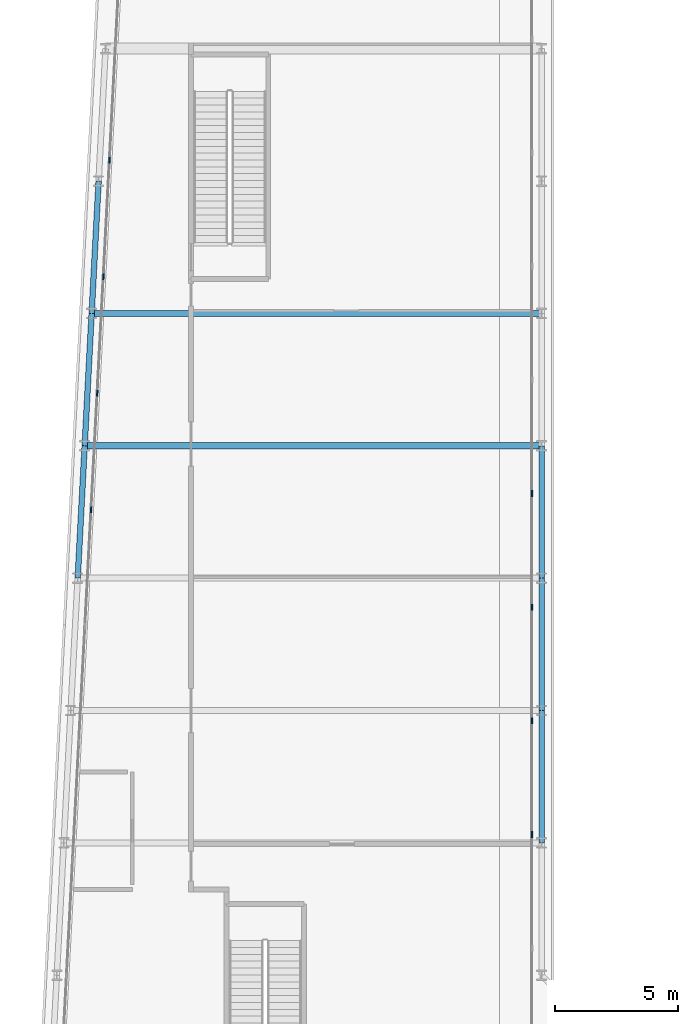
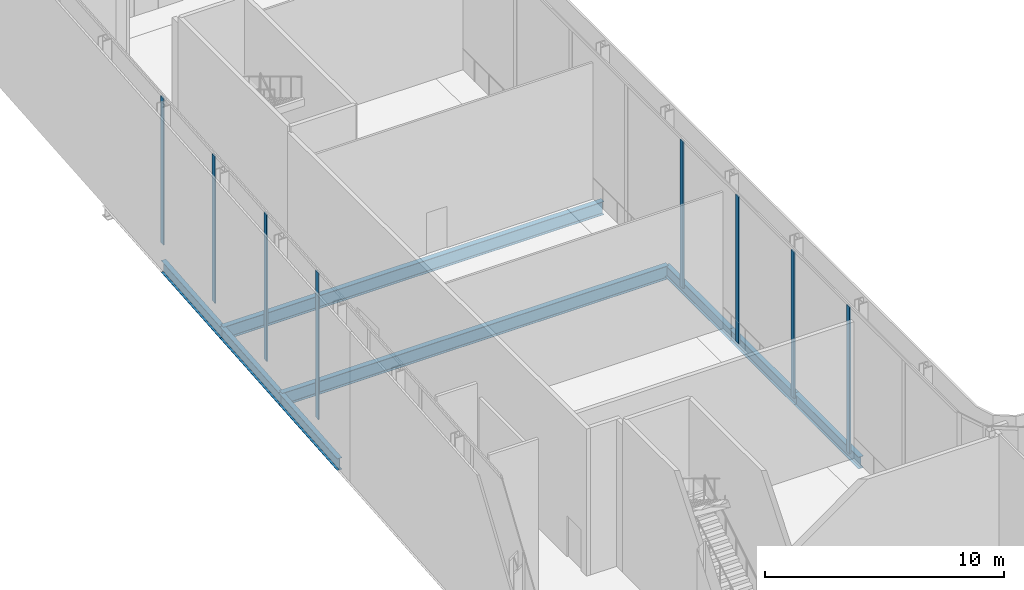
# One storey, part 14 of 37: 8 beams, 8 members, 2 elements without a shape of their own.
"""IFC4 building model written with IfcOpenShell, lengths in metres."""

import ifcopenshell
import ifcopenshell.guid

model = None  # the IFC model being written
_history = None  # IfcOwnerHistory: only IFC2X3 demands one
_inside = {}  # id of a spatial element -> (the spatial element, [elements in it])
_under = {}  # id of a project, library or spatial element -> (it, [spatial elements below it])
_declared = {}  # id of a project -> (the project, [libraries it declares])
_typed = {}  # id of a type object -> (the type object, [elements of that type])
_made_of = {}  # id of a material, layer set ... -> (it, [elements and type objects made of it])


def new_model(schema):
    """Start an empty IFC model of exactly this schema.

    Asked for "IFC4X3", IfcOpenShell would pick the latest addendum, in which some entities
    have other attributes; the version numbers below select the first issue.
    IFC2X3 requires an IfcOwnerHistory on every rooted entity: one is made here for all.
    """
    global model, _history
    if schema == "IFC4X3":
        model = ifcopenshell.file(schema_version=(4, 3, 0, 0))
    else:
        model = ifcopenshell.file(schema=schema)
    _inside.clear()
    _under.clear()
    _declared.clear()
    _typed.clear()
    _made_of.clear()
    _history = None
    if model.schema == "IFC2X3":
        org = make("IfcOrganization", Name="unknown")
        user = make(
            "IfcPersonAndOrganization",
            ThePerson=make("IfcPerson", FamilyName="unknown"),
            TheOrganization=org,
        )
        app = make(
            "IfcApplication",
            ApplicationDeveloper=org,
            Version="unknown",
            ApplicationFullName="unknown",
            ApplicationIdentifier="unknown",
        )
        _history = make(
            "IfcOwnerHistory",
            OwningUser=user,
            OwningApplication=app,
            ChangeAction="ADDED",
            CreationDate=0,
        )
    return model


def make(cls, **values):
    """One entity of the class cls with the attributes given. An attribute that is None is left unset."""
    return model.create_entity(
        cls, **{name: value for name, value in values.items() if value is not None}
    )


def rooted(cls, **values):
    """An entity with a GlobalId (a new one), such as an element, a storey or a relation."""
    return make(cls, GlobalId=ifcopenshell.guid.new(), OwnerHistory=_history, **values)


def si_unit(unit_type, name, prefix=None):
    """IfcSIUnit, for example si_unit("LENGTHUNIT", "METRE", prefix="MILLI")."""
    return make("IfcSIUnit", UnitType=unit_type, Prefix=prefix, Name=name)


def assignment(units):
    """IfcUnitAssignment: the units of a project."""
    return None if units is None else make("IfcUnitAssignment", Units=units)


def point(xyz):
    """IfcCartesianPoint."""
    return None if xyz is None else make("IfcCartesianPoint", Coordinates=xyz)


def direction(xyz):
    """IfcDirection."""
    return None if xyz is None else make("IfcDirection", DirectionRatios=xyz)


def frame(location, z_axis=None, x_axis=None):
    """IfcAxis2Placement3D, a coordinate frame: its origin and axes. An axis left out is left unset."""
    return make(
        "IfcAxis2Placement3D",
        Location=point(location),
        Axis=direction(z_axis),
        RefDirection=direction(x_axis),
    )


def frame_2d(location, x_axis=None):
    """IfcAxis2Placement2D, a coordinate frame in the plane: its origin and x axis."""
    return make(
        "IfcAxis2Placement2D", Location=point(location), RefDirection=direction(x_axis)
    )


def origin():
    """The frame at (0, 0, 0) with its axes left unset."""
    return frame((0.0, 0.0, 0.0))


def origin_2d():
    """The frame at (0, 0) in the plane with its x axis left unset."""
    return frame_2d((0.0, 0.0))


def place(relative_to, where):
    """IfcLocalPlacement: puts the frame where relative to a parent placement (None: the world)."""
    return make(
        "IfcLocalPlacement", PlacementRelTo=relative_to, RelativePlacement=where
    )


def context(
    kind, dimensions, precision=None, world=None, true_north=None, identifier=None
):
    """IfcGeometricRepresentationContext, for example the 3D "Model" context."""
    return make(
        "IfcGeometricRepresentationContext",
        ContextIdentifier=identifier,
        ContextType=kind,
        CoordinateSpaceDimension=dimensions,
        Precision=precision,
        WorldCoordinateSystem=world,
        TrueNorth=true_north,
    )


def subcontext(parent, identifier, kind, view, scale=None):
    """IfcGeometricRepresentationSubContext, for example "Body" below "Model"."""
    return make(
        "IfcGeometricRepresentationSubContext",
        ContextIdentifier=identifier,
        ContextType=kind,
        ParentContext=parent,
        TargetScale=scale,
        TargetView=view,
    )


def project(units=None, contexts=None):
    """IfcProject with its units and contexts."""
    return rooted(
        "IfcProject",
        Name="project",
        RepresentationContexts=contexts,
        UnitsInContext=assignment(units),
    )


def spatial(cls, under=None, at=None, **own):
    """A site, building, storey or space (cls), placed at a placement, below another one or the project."""
    s = rooted(cls, ObjectPlacement=at, **own)
    if under is not None:
        _under.setdefault(under.id(), (under, []))[1].append(s)
    return s


def profile(cls, at=None, kind="AREA", **sizes):
    """A parametric profile (cls). Its sizes go by their IFC names, for example OverallWidth=200.0."""
    return make(cls, ProfileType=kind, Position=at, **sizes)


def rectangle(**sizes):
    """IfcRectangleProfileDef."""
    return profile("IfcRectangleProfileDef", **sizes)


def i_section(**sizes):
    """IfcIShapeProfileDef."""
    return profile("IfcIShapeProfileDef", **sizes)


def extrude(swept, where, along, depth):
    """IfcExtrudedAreaSolid: the profile swept, set in the frame where, extruded along a direction by depth."""
    return make(
        "IfcExtrudedAreaSolid",
        SweptArea=swept,
        Position=where,
        ExtrudedDirection=direction(along),
        Depth=depth,
    )


def shape(context_of_items, identifier, shape_type, items):
    """IfcShapeRepresentation: the items that make up one representation, for example the "Body"."""
    return make(
        "IfcShapeRepresentation",
        ContextOfItems=context_of_items,
        RepresentationIdentifier=identifier,
        RepresentationType=shape_type,
        Items=items,
    )


def material(Name=None, Category=None):
    """IfcMaterial."""
    return make("IfcMaterial", Name=Name, Category=Category)


def layer(
    of_material, thickness, ventilated=None, Name=None, Category=None, Priority=None
):
    """IfcMaterialLayer: one layer of a wall or slab, of a material (None: an air gap)."""
    return make(
        "IfcMaterialLayer",
        Material=of_material,
        LayerThickness=thickness,
        IsVentilated=ventilated,
        Name=Name,
        Category=Category,
        Priority=Priority,
    )


def layer_set(layers, Name=None):
    """IfcMaterialLayerSet."""
    return make("IfcMaterialLayerSet", MaterialLayers=layers, LayerSetName=Name)


def material_profile(
    of_material, cross_section, Name=None, Category=None, Priority=None
):
    """IfcMaterialProfile: a cross section and its material."""
    return make(
        "IfcMaterialProfile",
        Name=Name,
        Material=of_material,
        Profile=cross_section,
        Priority=Priority,
        Category=Category,
    )


def profile_set(profiles, Name=None, composite=None):
    """IfcMaterialProfileSet."""
    return make(
        "IfcMaterialProfileSet",
        Name=Name,
        MaterialProfiles=profiles,
        CompositeProfile=composite,
    )


def made_of(thing, what):
    """Note that an element or type object is made of a material, layer set ...; save() writes the relation."""
    if what is not None:
        _made_of.setdefault(what.id(), (what, []))[1].append(thing)
    return thing


def type_object(cls, material=None, **own):
    """A type object (cls), such as IfcWallType, which elements share."""
    return made_of(rooted(cls, **own), material)


def element(
    cls,
    number,
    at=None,
    inside=None,
    cuts=None,
    type_object=None,
    material=None,
    context=None,
    identifier="Body",
    shape_type=None,
    held_by="IfcProductDefinitionShape",
    body=None,
    shapes=None,
    **own,
):
    """One element of the class cls, such as IfcWall. Its Tag is "e" and its number.

    at: its placement. inside: the storey or other place that contains it. cuts: it is an
    opening in that element (IfcRelVoidsElement). A single representation is given by context,
    identifier, shape_type and body (its items); several are given by shapes. held_by: the class
    of the entity that holds the representations. save() writes the other relations.
    """
    e = rooted(cls, Tag="e%d" % number, ObjectPlacement=at, **own)
    if body is not None:
        shapes = [shape(context, identifier, shape_type, body)]
    if shapes is not None:
        e.Representation = make(held_by, Representations=shapes)
    if inside is not None:
        _inside.setdefault(inside.id(), (inside, []))[1].append(e)
    if cuts is not None:
        rooted(
            "IfcRelVoidsElement", RelatingBuildingElement=cuts, RelatedOpeningElement=e
        )
    if type_object is not None:
        _typed.setdefault(type_object.id(), (type_object, []))[1].append(e)
    return made_of(e, material)


def aggregate(whole, parts):
    """IfcRelAggregates: a whole, such as a stair, and the parts it consists of."""
    return rooted("IfcRelAggregates", RelatingObject=whole, RelatedObjects=parts)


def save(model, path):
    """Write the relations noted so far, then the file.

    IfcRelAggregates (storeys below a building ...), IfcRelContainedInSpatialStructure (elements
    in a storey), IfcRelDefinesByType, IfcRelAssociatesMaterial and IfcRelDeclares: one each for
    every whole, place, type object, material and project.
    """
    for whole, parts in _under.values():
        aggregate(whole, parts)
    for where, things in _inside.values():
        rooted(
            "IfcRelContainedInSpatialStructure",
            RelatedElements=things,
            RelatingStructure=where,
        )
    for kind, things in _typed.values():
        rooted("IfcRelDefinesByType", RelatedObjects=things, RelatingType=kind)
    for what, things in _made_of.values():
        rooted("IfcRelAssociatesMaterial", RelatedObjects=things, RelatingMaterial=what)
    for by, libraries in _declared.values():
        rooted("IfcRelDeclares", RelatingContext=by, RelatedDefinitions=libraries)
    model.write(path)


model = new_model("IFC4")

# Units and contexts
model_context = context("Model", 3, precision=1e-05, world=origin(), true_north=direction((0.0, 1.0)))
body_context = subcontext(model_context, "Body", "Model", "MODEL_VIEW")
ifc_project = project(units=[si_unit("LENGTHUNIT", "METRE"), si_unit("AREAUNIT", "SQUARE_METRE"), si_unit("VOLUMEUNIT", "CUBIC_METRE"), si_unit("PLANEANGLEUNIT", "RADIAN"), si_unit("MASSUNIT", "GRAM", prefix="KILO")], contexts=[model_context])

# Site, building, storey
site_placement = place(None, origin())
site = spatial("IfcSite", under=ifc_project, at=site_placement, CompositionType="ELEMENT")
building_placement = place(site_placement, origin())
building = spatial("IfcBuilding", under=site, at=building_placement, Name="Kheshtan School and Residences Tower", CompositionType="ELEMENT")
storey_placement = place(building_placement, frame((0.0, 0.0, 144.800048828125)))
storey = spatial("IfcBuildingStorey", under=building, at=storey_placement, Name="L34", CompositionType="ELEMENT", Elevation=144.800048828125)

# Beams
ifc_material_1 = material(Name="Steel ASTM A992 Grade 50", Category="steel")
ifc_material_profile_1 = material_profile(ifc_material_1, i_section(OverallWidth=0.2529296875, OverallDepth=0.677978515625, WebThickness=0.01171875, FlangeThickness=0.016357421875, FilletRadius=0.0146484375, at=origin_2d()), Name="W690x125")
ifc_profile_set_1 = profile_set([ifc_material_profile_1], Name="Steel ASTM A992 Grade 50")
beam_type_1 = type_object("IfcBeamType", Name="Beam FB6 W690x125 ASTM A992 Grade 50", PredefinedType="BEAM", material=ifc_profile_set_1)
beam_1_placement = place(storey_placement, frame((47.60009765625, 78.0, -0.489013671875), z_axis=(-1.0, 0.0, 0.0), x_axis=(0.0, -1.0, 0.0)))
element("IfcBeam", 1, at=beam_1_placement, inside=storey, type_object=beam_type_1, Name="Floor beam C089", PredefinedType="BEAM", context=body_context, shape_type="SweptSolid", body=[
    extrude(i_section(OverallWidth=0.2529296875, OverallDepth=0.677978515625, WebThickness=0.01171875, FlangeThickness=0.016357421875, FilletRadius=0.0146484375, at=origin_2d()), origin(), (0.0, 0.0, 1.0), 18.357177734375),
])
beam_2_placement = place(storey_placement, frame((28.9580078125, 72.60009765625, -0.489013671875), z_axis=(1.0, 0.0, 0.0), x_axis=(0.0, 1.0, 0.0)))
element("IfcBeam", 2, at=beam_2_placement, inside=storey, type_object=beam_type_1, Name="Floor beam C086", PredefinedType="BEAM", context=body_context, shape_type="SweptSolid", body=[
    extrude(i_section(OverallWidth=0.2529296875, OverallDepth=0.677978515625, WebThickness=0.01171875, FlangeThickness=0.016357421875, FilletRadius=0.0146484375, at=origin_2d()), origin(), (0.0, 0.0, 1.0), 18.64208984375),
])
ifc_material_profile_2 = material_profile(ifc_material_1, i_section(OverallWidth=0.22802734375, OverallDepth=0.60302734375, WebThickness=0.010498046875, FlangeThickness=0.014892578125, FilletRadius=0.013427734375, at=origin_2d()), Name="W610x101")
ifc_profile_set_2 = profile_set([ifc_material_profile_2], Name="Steel ASTM A992 Grade 50")
beam_type_2 = type_object("IfcBeamType", Name="Beam SP2 W610x101 ASTM A992 Grade 50", PredefinedType="BEAM", material=ifc_profile_set_2)
beam_3_placement = place(storey_placement, frame((47.60009765625, 72.60009765625, -0.45166015625), z_axis=(0.0, -1.0, 0.0), x_axis=(1.0, 0.0, 0.0)))
element("IfcBeam", 3, at=beam_3_placement, inside=storey, type_object=beam_type_2, Name="Spandrel beam C087-C085", PredefinedType="BEAM", context=body_context, shape_type="SweptSolid", body=[
    extrude(i_section(OverallWidth=0.22802734375, OverallDepth=0.60302734375, WebThickness=0.010498046875, FlangeThickness=0.014892578125, FilletRadius=0.013427734375, at=origin_2d()), origin(), (0.0, 0.0, 1.0), 5.400146484375),
])
beam_4_placement = place(storey_placement, frame((47.60009765625, 67.199951171875, -0.45166015625), z_axis=(0.0, -1.0, 0.0), x_axis=(1.0, 0.0, 0.0)))
element("IfcBeam", 4, at=beam_4_placement, inside=storey, type_object=beam_type_2, Name="Spandrel beam C085-C083", PredefinedType="BEAM", context=body_context, shape_type="SweptSolid", body=[
    extrude(i_section(OverallWidth=0.22802734375, OverallDepth=0.60302734375, WebThickness=0.010498046875, FlangeThickness=0.014892578125, FilletRadius=0.013427734375, at=origin_2d()), origin(), (0.0, 0.0, 1.0), 5.39990234375),
])
beam_5_placement = place(storey_placement, frame((47.60009765625, 61.800048828125, -0.45166015625), z_axis=(0.0, -1.0, 0.0), x_axis=(1.0, 0.0, 0.0)))
element("IfcBeam", 5, at=beam_5_placement, inside=storey, type_object=beam_type_2, Name="Spandrel beam C083-C081", PredefinedType="BEAM", context=body_context, shape_type="SweptSolid", body=[
    extrude(i_section(OverallWidth=0.22802734375, OverallDepth=0.60302734375, WebThickness=0.010498046875, FlangeThickness=0.014892578125, FilletRadius=0.013427734375, at=origin_2d()), origin(), (0.0, 0.0, 1.0), 5.400146484375),
])
beam_6_placement = place(storey_placement, frame((28.674072265625, 67.199951171875, -0.45166015625), z_axis=(0.05250670125, 0.998620571751, 0.0), x_axis=(-0.998620571751, 0.05250670125, 0.0)))
element("IfcBeam", 6, at=beam_6_placement, inside=storey, type_object=beam_type_2, Name="Spandrel beam C084-C086", PredefinedType="BEAM", context=body_context, shape_type="SweptSolid", body=[
    extrude(i_section(OverallWidth=0.22802734375, OverallDepth=0.60302734375, WebThickness=0.010498046875, FlangeThickness=0.014892578125, FilletRadius=0.013427734375, at=origin_2d()), origin(), (0.0, 0.0, 1.0), 5.40771484375),
])
for number, where, z_axis, x_axis, name in (
    (7, (28.9580078125, 72.60009765625, -0.45166015625), (0.052689166816, 0.998610961136, 0.0), (-0.998610961136, 0.052689166816, 0.0), "Spandrel beam C086-C088"),
    (8, (29.242919921875, 78.0, -0.45166015625), (0.052554093665, 0.998618078766, 0.0), (-0.998618078766, 0.052554093665, 0.0), "Spandrel beam C088-C090"),
):
    element("IfcBeam", number, at=place(storey_placement, frame(where, z_axis=z_axis, x_axis=x_axis)), inside=storey, type_object=beam_type_2, Name=name, PredefinedType="BEAM", context=body_context, shape_type="SweptSolid", body=[
        extrude(i_section(OverallWidth=0.22802734375, OverallDepth=0.60302734375, WebThickness=0.010498046875, FlangeThickness=0.014892578125, FilletRadius=0.013427734375, at=origin_2d()), origin(), (0.0, 0.0, 1.0), 5.407470703125),
    ])

# Curtain wall, members
ifc_material_2 = material(Name="Clear low-e glass in thermally broken aluminium frame", Category="aluminium")
ifc_layer = layer(ifc_material_2, 0.25)
ifc_layer_set = layer_set([ifc_layer], Name="Curtain wall CW-K")
curtain_wall_type = type_object("IfcCurtainWallType", Name="Curtain wall CW-K", PredefinedType="NOTDEFINED", material=ifc_layer_set)
curtain_wall_1_placement = place(storey_placement, origin())
curtain_wall_1 = element("IfcCurtainWall", 9, at=curtain_wall_1_placement, inside=storey, type_object=curtain_wall_type, Name="Curtain wall CWK18", PredefinedType="NOTDEFINED")
ifc_material_3 = material(Name="Thermally broken aluminium, dark bronze anodised", Category="aluminium")
ifc_material_profile_3 = material_profile(ifc_material_3, rectangle(XDim=0.06005859375, YDim=0.25, at=origin_2d()), Name="CW-K mullion 60x250")
ifc_profile_set_3 = profile_set([ifc_material_profile_3], Name="Thermally broken aluminium, dark bronze anodised")
member_type = type_object("IfcMemberType", Name="CW-K mullion 60x250", PredefinedType="MULLION", material=ifc_profile_set_3)
member_1_placement = place(storey_placement, frame((29.22119140625, 69.993408203125, 0.0), z_axis=(0.0, 0.0, 1.0), x_axis=(-0.998617497599, 0.05256513568, 0.0)))
member_1 = element("IfcMember", 10, at=member_1_placement, type_object=member_type, Name="CWK18 mullion 9", PredefinedType="MULLION", context=body_context, shape_type="SweptSolid", body=[
    extrude(rectangle(XDim=0.06005859375, YDim=0.25, at=origin_2d()), origin(), (0.0, 0.0, 1.0), 7.489990234375),
])
member_2_placement = place(storey_placement, frame((29.471435546875, 74.74560546875, 0.0), z_axis=(0.0, 0.0, 1.0), x_axis=(-0.998617497599, 0.05256513568, 0.0)))
member_2 = element("IfcMember", 11, at=member_2_placement, type_object=member_type, Name="CWK18 mullion 10", PredefinedType="MULLION", context=body_context, shape_type="SweptSolid", body=[
    extrude(rectangle(XDim=0.06005859375, YDim=0.25, at=origin_2d()), origin(), (0.0, 0.0, 1.0), 7.489990234375),
])
member_3_placement = place(storey_placement, frame((29.7216796875, 79.497802734375, 0.0), z_axis=(0.0, 0.0, 1.0), x_axis=(-0.998617497599, 0.05256513568, 0.0)))
member_3 = element("IfcMember", 12, at=member_3_placement, type_object=member_type, Name="CWK18 mullion 11", PredefinedType="MULLION", context=body_context, shape_type="SweptSolid", body=[
    extrude(rectangle(XDim=0.06005859375, YDim=0.25, at=origin_2d()), origin(), (0.0, 0.0, 1.0), 7.489990234375),
])
member_4_placement = place(storey_placement, frame((29.9716796875, 84.249755859375, 0.0), z_axis=(0.0, 0.0, 1.0), x_axis=(-0.998617497599, 0.05256513568, 0.0)))
member_4 = element("IfcMember", 13, at=member_4_placement, type_object=member_type, Name="CWK18 mullion 12", PredefinedType="MULLION", context=body_context, shape_type="SweptSolid", body=[
    extrude(rectangle(XDim=0.06005859375, YDim=0.25, at=origin_2d()), origin(), (0.0, 0.0, 1.0), 7.489990234375),
])
aggregate(curtain_wall_1, [member_1, member_2, member_3, member_4])

curtain_wall_2_placement = place(storey_placement, origin())
curtain_wall_2 = element("IfcCurtainWall", 14, at=curtain_wall_2_placement, inside=storey, type_object=curtain_wall_type, Name="Curtain wall CWK24", PredefinedType="NOTDEFINED")
member_5_placement = place(storey_placement, frame((47.199951171875, 70.6513671875, 0.0), z_axis=(0.0, 0.0, 1.0), x_axis=(1.0, 0.0, 0.0)))
member_5 = element("IfcMember", 15, at=member_5_placement, type_object=member_type, Name="CWK24 mullion 7", PredefinedType="MULLION", context=body_context, shape_type="SweptSolid", body=[
    extrude(rectangle(XDim=0.06005859375, YDim=0.25, at=origin_2d()), origin(), (0.0, 0.0, 1.0), 7.489990234375),
])
member_6_placement = place(storey_placement, frame((47.199951171875, 66.014892578125, 0.0), z_axis=(0.0, 0.0, 1.0), x_axis=(1.0, 0.0, 0.0)))
member_6 = element("IfcMember", 16, at=member_6_placement, type_object=member_type, Name="CWK24 mullion 8", PredefinedType="MULLION", context=body_context, shape_type="SweptSolid", body=[
    extrude(rectangle(XDim=0.06005859375, YDim=0.25, at=origin_2d()), origin(), (0.0, 0.0, 1.0), 7.489990234375),
])
member_7_placement = place(storey_placement, frame((47.199951171875, 61.37841796875, 0.0), z_axis=(0.0, 0.0, 1.0), x_axis=(1.0, 0.0, 0.0)))
member_7 = element("IfcMember", 17, at=member_7_placement, type_object=member_type, Name="CWK24 mullion 9", PredefinedType="MULLION", context=body_context, shape_type="SweptSolid", body=[
    extrude(rectangle(XDim=0.06005859375, YDim=0.25, at=origin_2d()), origin(), (0.0, 0.0, 1.0), 7.489990234375),
])
member_8_placement = place(storey_placement, frame((47.199951171875, 56.741943359375, 0.0), z_axis=(0.0, 0.0, 1.0), x_axis=(1.0, 0.0, 0.0)))
member_8 = element("IfcMember", 18, at=member_8_placement, type_object=member_type, Name="CWK24 mullion 10", PredefinedType="MULLION", context=body_context, shape_type="SweptSolid", body=[
    extrude(rectangle(XDim=0.06005859375, YDim=0.25, at=origin_2d()), origin(), (0.0, 0.0, 1.0), 7.489990234375),
])
aggregate(curtain_wall_2, [member_5, member_6, member_7, member_8])

save(model, "model.ifc")
